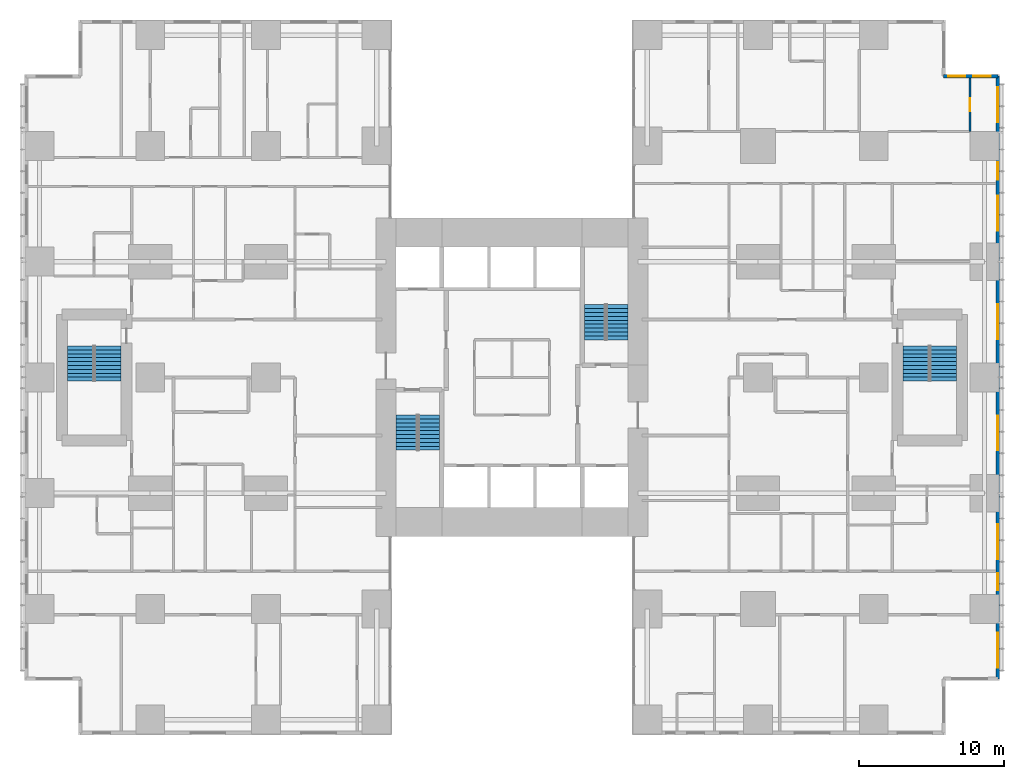
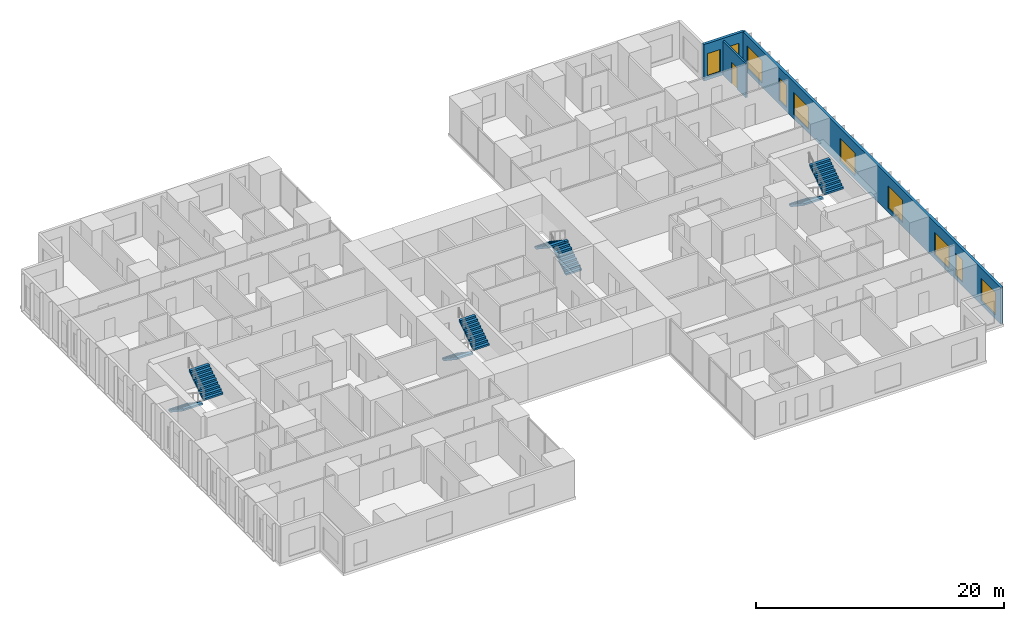
# One storey, part 19 of 20: 10 windows, 8 stair flights, 3 walls, 1 door, 11 openings, 4 elements without a shape of their own.
"""IFC4 building model written with IfcOpenShell, lengths in metres."""

import ifcopenshell
import ifcopenshell.guid

model = None  # the IFC model being written
_history = None  # IfcOwnerHistory: only IFC2X3 demands one
_inside = {}  # id of a spatial element -> (the spatial element, [elements in it])
_under = {}  # id of a project, library or spatial element -> (it, [spatial elements below it])
_declared = {}  # id of a project -> (the project, [libraries it declares])
_typed = {}  # id of a type object -> (the type object, [elements of that type])
_made_of = {}  # id of a material, layer set ... -> (it, [elements and type objects made of it])


def new_model(schema):
    """Start an empty IFC model of exactly this schema.

    Asked for "IFC4X3", IfcOpenShell would pick the latest addendum, in which some entities
    have other attributes; the version numbers below select the first issue.
    IFC2X3 requires an IfcOwnerHistory on every rooted entity: one is made here for all.
    """
    global model, _history
    if schema == "IFC4X3":
        model = ifcopenshell.file(schema_version=(4, 3, 0, 0))
    else:
        model = ifcopenshell.file(schema=schema)
    _inside.clear()
    _under.clear()
    _declared.clear()
    _typed.clear()
    _made_of.clear()
    _history = None
    if model.schema == "IFC2X3":
        org = make("IfcOrganization", Name="unknown")
        user = make(
            "IfcPersonAndOrganization",
            ThePerson=make("IfcPerson", FamilyName="unknown"),
            TheOrganization=org,
        )
        app = make(
            "IfcApplication",
            ApplicationDeveloper=org,
            Version="unknown",
            ApplicationFullName="unknown",
            ApplicationIdentifier="unknown",
        )
        _history = make(
            "IfcOwnerHistory",
            OwningUser=user,
            OwningApplication=app,
            ChangeAction="ADDED",
            CreationDate=0,
        )
    return model


def make(cls, **values):
    """One entity of the class cls with the attributes given. An attribute that is None is left unset."""
    return model.create_entity(
        cls, **{name: value for name, value in values.items() if value is not None}
    )


def rooted(cls, **values):
    """An entity with a GlobalId (a new one), such as an element, a storey or a relation."""
    return make(cls, GlobalId=ifcopenshell.guid.new(), OwnerHistory=_history, **values)


def si_unit(unit_type, name, prefix=None):
    """IfcSIUnit, for example si_unit("LENGTHUNIT", "METRE", prefix="MILLI")."""
    return make("IfcSIUnit", UnitType=unit_type, Prefix=prefix, Name=name)


def assignment(units):
    """IfcUnitAssignment: the units of a project."""
    return None if units is None else make("IfcUnitAssignment", Units=units)


def point(xyz):
    """IfcCartesianPoint."""
    return None if xyz is None else make("IfcCartesianPoint", Coordinates=xyz)


def direction(xyz):
    """IfcDirection."""
    return None if xyz is None else make("IfcDirection", DirectionRatios=xyz)


def frame(location, z_axis=None, x_axis=None):
    """IfcAxis2Placement3D, a coordinate frame: its origin and axes. An axis left out is left unset."""
    return make(
        "IfcAxis2Placement3D",
        Location=point(location),
        Axis=direction(z_axis),
        RefDirection=direction(x_axis),
    )


def frame_2d(location, x_axis=None):
    """IfcAxis2Placement2D, a coordinate frame in the plane: its origin and x axis."""
    return make(
        "IfcAxis2Placement2D", Location=point(location), RefDirection=direction(x_axis)
    )


def origin():
    """The frame at (0, 0, 0) with its axes left unset."""
    return frame((0.0, 0.0, 0.0))


def place(relative_to, where):
    """IfcLocalPlacement: puts the frame where relative to a parent placement (None: the world)."""
    return make(
        "IfcLocalPlacement", PlacementRelTo=relative_to, RelativePlacement=where
    )


def context(
    kind, dimensions, precision=None, world=None, true_north=None, identifier=None
):
    """IfcGeometricRepresentationContext, for example the 3D "Model" context."""
    return make(
        "IfcGeometricRepresentationContext",
        ContextIdentifier=identifier,
        ContextType=kind,
        CoordinateSpaceDimension=dimensions,
        Precision=precision,
        WorldCoordinateSystem=world,
        TrueNorth=true_north,
    )


def subcontext(parent, identifier, kind, view, scale=None):
    """IfcGeometricRepresentationSubContext, for example "Body" below "Model"."""
    return make(
        "IfcGeometricRepresentationSubContext",
        ContextIdentifier=identifier,
        ContextType=kind,
        ParentContext=parent,
        TargetScale=scale,
        TargetView=view,
    )


def project(units=None, contexts=None):
    """IfcProject with its units and contexts."""
    return rooted(
        "IfcProject",
        Name="project",
        RepresentationContexts=contexts,
        UnitsInContext=assignment(units),
    )


def spatial(cls, under=None, at=None, **own):
    """A site, building, storey or space (cls), placed at a placement, below another one or the project."""
    s = rooted(cls, ObjectPlacement=at, **own)
    if under is not None:
        _under.setdefault(under.id(), (under, []))[1].append(s)
    return s


def polyline(points):
    """IfcPolyline through the points."""
    return make("IfcPolyline", Points=[point(p) for p in points])


def profile(cls, at=None, kind="AREA", **sizes):
    """A parametric profile (cls). Its sizes go by their IFC names, for example OverallWidth=200.0."""
    return make(cls, ProfileType=kind, Position=at, **sizes)


def rectangle(**sizes):
    """IfcRectangleProfileDef."""
    return profile("IfcRectangleProfileDef", **sizes)


def outline(outer, holes=None, kind="AREA"):
    """IfcArbitraryClosedProfileDef: a profile drawn as a closed curve; with holes, ...WithVoids."""
    if holes is None:
        return make("IfcArbitraryClosedProfileDef", ProfileType=kind, OuterCurve=outer)
    return make(
        "IfcArbitraryProfileDefWithVoids",
        ProfileType=kind,
        OuterCurve=outer,
        InnerCurves=holes,
    )


def extrude(swept, where, along, depth):
    """IfcExtrudedAreaSolid: the profile swept, set in the frame where, extruded along a direction by depth."""
    return make(
        "IfcExtrudedAreaSolid",
        SweptArea=swept,
        Position=where,
        ExtrudedDirection=direction(along),
        Depth=depth,
    )


def shape(context_of_items, identifier, shape_type, items):
    """IfcShapeRepresentation: the items that make up one representation, for example the "Body"."""
    return make(
        "IfcShapeRepresentation",
        ContextOfItems=context_of_items,
        RepresentationIdentifier=identifier,
        RepresentationType=shape_type,
        Items=items,
    )


def material(Name=None, Category=None):
    """IfcMaterial."""
    return make("IfcMaterial", Name=Name, Category=Category)


def layer(
    of_material, thickness, ventilated=None, Name=None, Category=None, Priority=None
):
    """IfcMaterialLayer: one layer of a wall or slab, of a material (None: an air gap)."""
    return make(
        "IfcMaterialLayer",
        Material=of_material,
        LayerThickness=thickness,
        IsVentilated=ventilated,
        Name=Name,
        Category=Category,
        Priority=Priority,
    )


def layer_set(layers, Name=None):
    """IfcMaterialLayerSet."""
    return make("IfcMaterialLayerSet", MaterialLayers=layers, LayerSetName=Name)


def made_of(thing, what):
    """Note that an element or type object is made of a material, layer set ...; save() writes the relation."""
    if what is not None:
        _made_of.setdefault(what.id(), (what, []))[1].append(thing)
    return thing


def type_object(cls, material=None, **own):
    """A type object (cls), such as IfcWallType, which elements share."""
    return made_of(rooted(cls, **own), material)


def element(
    cls,
    number,
    at=None,
    inside=None,
    cuts=None,
    type_object=None,
    material=None,
    context=None,
    identifier="Body",
    shape_type=None,
    held_by="IfcProductDefinitionShape",
    body=None,
    shapes=None,
    **own,
):
    """One element of the class cls, such as IfcWall. Its Tag is "e" and its number.

    at: its placement. inside: the storey or other place that contains it. cuts: it is an
    opening in that element (IfcRelVoidsElement). A single representation is given by context,
    identifier, shape_type and body (its items); several are given by shapes. held_by: the class
    of the entity that holds the representations. save() writes the other relations.
    """
    e = rooted(cls, Tag="e%d" % number, ObjectPlacement=at, **own)
    if body is not None:
        shapes = [shape(context, identifier, shape_type, body)]
    if shapes is not None:
        e.Representation = make(held_by, Representations=shapes)
    if inside is not None:
        _inside.setdefault(inside.id(), (inside, []))[1].append(e)
    if cuts is not None:
        rooted(
            "IfcRelVoidsElement", RelatingBuildingElement=cuts, RelatedOpeningElement=e
        )
    if type_object is not None:
        _typed.setdefault(type_object.id(), (type_object, []))[1].append(e)
    return made_of(e, material)


def fill(opening, filler):
    """IfcRelFillsElement: the door or window that sits in an opening."""
    return rooted(
        "IfcRelFillsElement",
        RelatingOpeningElement=opening,
        RelatedBuildingElement=filler,
    )


def aggregate(whole, parts):
    """IfcRelAggregates: a whole, such as a stair, and the parts it consists of."""
    return rooted("IfcRelAggregates", RelatingObject=whole, RelatedObjects=parts)


def save(model, path):
    """Write the relations noted so far, then the file.

    IfcRelAggregates (storeys below a building ...), IfcRelContainedInSpatialStructure (elements
    in a storey), IfcRelDefinesByType, IfcRelAssociatesMaterial and IfcRelDeclares: one each for
    every whole, place, type object, material and project.
    """
    for whole, parts in _under.values():
        aggregate(whole, parts)
    for where, things in _inside.values():
        rooted(
            "IfcRelContainedInSpatialStructure",
            RelatedElements=things,
            RelatingStructure=where,
        )
    for kind, things in _typed.values():
        rooted("IfcRelDefinesByType", RelatedObjects=things, RelatingType=kind)
    for what, things in _made_of.values():
        rooted("IfcRelAssociatesMaterial", RelatedObjects=things, RelatingMaterial=what)
    for by, libraries in _declared.values():
        rooted("IfcRelDeclares", RelatingContext=by, RelatedDefinitions=libraries)
    model.write(path)


model = new_model("IFC4")

# Units and contexts
model_context = context("Model", 3, precision=1e-05, world=origin(), true_north=direction((0.0, 1.0)))
body_context = subcontext(model_context, "Body", "Model", "MODEL_VIEW")
ifc_project = project(units=[si_unit("LENGTHUNIT", "METRE"), si_unit("AREAUNIT", "SQUARE_METRE"), si_unit("VOLUMEUNIT", "CUBIC_METRE"), si_unit("PLANEANGLEUNIT", "RADIAN"), si_unit("MASSUNIT", "GRAM", prefix="KILO")], contexts=[model_context])

# Site, building, storey
site_placement = place(None, origin())
site = spatial("IfcSite", under=ifc_project, at=site_placement, CompositionType="ELEMENT")
building_placement = place(site_placement, origin())
building = spatial("IfcBuilding", under=site, at=building_placement, Name="Cleftline Residences", CompositionType="ELEMENT")
storey_placement = place(building_placement, frame((0.0, 0.0, 107.0)))
storey = spatial("IfcBuildingStorey", under=building, at=storey_placement, Name="L27", CompositionType="ELEMENT", Elevation=107.0)

# Wall, openings, windows
ifc_material_1 = material(Name="Rendered reinforced concrete blockwork", Category="masonry")
ifc_layer_1 = layer(ifc_material_1, 0.25)
ifc_layer_set_1 = layer_set([ifc_layer_1], Name="EXTERNAL WALL 250")
wall_type_1 = type_object("IfcWallType", Name="EXTERNAL WALL 250", PredefinedType="SOLIDWALL", material=ifc_layer_set_1)
wall_1_placement = place(storey_placement, frame((66.574951171875, 3.175048828125, 0.0), z_axis=(0.0, 0.0, 1.0), x_axis=(0.0, 1.0, 0.0)))
wall_1 = element("IfcWall", 1, at=wall_1_placement, inside=storey, type_object=wall_type_1, Name="External wall", PredefinedType="SOLIDWALL", context=body_context, shape_type="SweptSolid", body=[
    extrude(rectangle(XDim=41.64990234375, YDim=0.25, at=frame_2d((20.824951171875, 0.0))), origin(), (0.0, 0.0, 1.0), 3.60009765625),
])
opening_1_placement = place(wall_1_placement, frame((0.77490234375, 0.0, 0.39990234375)))
opening_1 = element("IfcOpeningElement", 2, at=opening_1_placement, cuts=wall_1, Name="Opening W12", PredefinedType="OPENING", context=body_context, shape_type="SweptSolid", body=[
    extrude(rectangle(XDim=2.39990234375, YDim=2.199951171875, at=frame_2d((1.199951171875, 1.10009765625))), frame((0.0, 0.135009765625, 0.0), z_axis=(0.0, -1.0, 0.0), x_axis=(1.0, 0.0, 0.0)), (0.0, 0.0, 1.0), 0.27001953125),
])
opening_2_placement = place(wall_1_placement, frame((6.10009765625, 0.0, 0.39990234375)))
opening_2 = element("IfcOpeningElement", 3, at=opening_2_placement, cuts=wall_1, Name="Opening W11", PredefinedType="OPENING", context=body_context, shape_type="SweptSolid", body=[
    extrude(rectangle(XDim=1.199951171875, YDim=2.199951171875, at=frame_2d((0.60009765625, 1.10009765625))), frame((0.0, 0.135009765625, 0.0), z_axis=(0.0, -1.0, 0.0), x_axis=(1.0, 0.0, 0.0)), (0.0, 0.0, 1.0), 0.27001953125),
])
opening_3_placement = place(wall_1_placement, frame((8.27490234375, 0.0, 0.39990234375)))
opening_3 = element("IfcOpeningElement", 4, at=opening_3_placement, cuts=wall_1, Name="Opening W12", PredefinedType="OPENING", context=body_context, shape_type="SweptSolid", body=[
    extrude(rectangle(XDim=2.39990234375, YDim=2.199951171875, at=frame_2d((1.199951171875, 1.10009765625))), frame((0.0, 0.135009765625, 0.0), z_axis=(0.0, -1.0, 0.0), x_axis=(1.0, 0.0, 0.0)), (0.0, 0.0, 1.0), 0.27001953125),
])
opening_4_placement = place(wall_1_placement, frame((15.77490234375, 0.0, 0.39990234375)))
opening_4 = element("IfcOpeningElement", 5, at=opening_4_placement, cuts=wall_1, Name="Opening W12", PredefinedType="OPENING", context=body_context, shape_type="SweptSolid", body=[
    extrude(rectangle(XDim=2.39990234375, YDim=2.199951171875, at=frame_2d((1.199951171875, 1.10009765625))), frame((0.0, 0.135009765625, 0.0), z_axis=(0.0, -1.0, 0.0), x_axis=(1.0, 0.0, 0.0)), (0.0, 0.0, 1.0), 0.27001953125),
])
opening_5_placement = place(wall_1_placement, frame((23.47509765625, 0.0, 0.39990234375)))
opening_5 = element("IfcOpeningElement", 6, at=opening_5_placement, cuts=wall_1, Name="Opening W12", PredefinedType="OPENING", context=body_context, shape_type="SweptSolid", body=[
    extrude(rectangle(XDim=2.39990234375, YDim=2.199951171875, at=frame_2d((1.199951171875, 1.10009765625))), frame((0.0, 0.135009765625, 0.0), z_axis=(0.0, -1.0, 0.0), x_axis=(1.0, 0.0, 0.0)), (0.0, 0.0, 1.0), 0.27001953125),
])
opening_6_placement = place(wall_1_placement, frame((30.97509765625, 0.0, 0.39990234375)))
opening_6 = element("IfcOpeningElement", 7, at=opening_6_placement, cuts=wall_1, Name="Opening W12", PredefinedType="OPENING", context=body_context, shape_type="SweptSolid", body=[
    extrude(rectangle(XDim=2.39990234375, YDim=2.199951171875, at=frame_2d((1.199951171875, 1.10009765625))), frame((0.0, 0.135009765625, 0.0), z_axis=(0.0, -1.0, 0.0), x_axis=(1.0, 0.0, 0.0)), (0.0, 0.0, 1.0), 0.27001953125),
])
opening_7_placement = place(wall_1_placement, frame((34.5, 0.0, 0.39990234375)))
opening_7 = element("IfcOpeningElement", 8, at=opening_7_placement, cuts=wall_1, Name="Opening W11", PredefinedType="OPENING", context=body_context, shape_type="SweptSolid", body=[
    extrude(rectangle(XDim=1.199951171875, YDim=2.199951171875, at=frame_2d((0.60009765625, 1.10009765625))), frame((0.0, 0.135009765625, 0.0), z_axis=(0.0, -1.0, 0.0), x_axis=(1.0, 0.0, 0.0)), (0.0, 0.0, 1.0), 0.27001953125),
])
opening_8_placement = place(wall_1_placement, frame((38.47509765625, 0.0, 0.39990234375)))
opening_8 = element("IfcOpeningElement", 9, at=opening_8_placement, cuts=wall_1, Name="Opening W12", PredefinedType="OPENING", context=body_context, shape_type="SweptSolid", body=[
    extrude(rectangle(XDim=2.39990234375, YDim=2.199951171875, at=frame_2d((1.199951171875, 1.10009765625))), frame((0.0, 0.135009765625, 0.0), z_axis=(0.0, -1.0, 0.0), x_axis=(1.0, 0.0, 0.0)), (0.0, 0.0, 1.0), 0.27001953125),
])
ifc_material_2 = material(Name="Aluminium frame, clear double glazing", Category="aluminium")
window_type_1 = type_object("IfcWindowType", Name="WINDOW 1200X2200", PartitioningType="DOUBLE_PANEL_VERTICAL", PredefinedType="WINDOW", material=ifc_material_2)
window_1_placement = place(opening_2_placement, origin())
window_1 = element("IfcWindow", 10, at=window_1_placement, inside=storey, type_object=window_type_1, Name="Window", OverallHeight=2.199951171875, OverallWidth=1.199951171875, PartitioningType="SINGLE_PANEL", PredefinedType="WINDOW", context=body_context, shape_type="SweptSolid", body=[
    extrude(rectangle(XDim=1.199951171875, YDim=2.199951171875, at=frame_2d((0.60009765625, 1.10009765625))), frame((0.0, 0.030029296875, 0.0), z_axis=(0.0, -1.0, 0.0), x_axis=(1.0, 0.0, 0.0)), (0.0, 0.0, 1.0), 0.06005859375),
])
fill(opening_2, window_1)
window_2_placement = place(opening_7_placement, origin())
window_2 = element("IfcWindow", 11, at=window_2_placement, inside=storey, type_object=window_type_1, Name="Window", OverallHeight=2.199951171875, OverallWidth=1.199951171875, PartitioningType="SINGLE_PANEL", PredefinedType="WINDOW", context=body_context, shape_type="SweptSolid", body=[
    extrude(rectangle(XDim=1.199951171875, YDim=2.199951171875, at=frame_2d((0.60009765625, 1.10009765625))), frame((0.0, 0.030029296875, 0.0), z_axis=(0.0, -1.0, 0.0), x_axis=(1.0, 0.0, 0.0)), (0.0, 0.0, 1.0), 0.06005859375),
])
fill(opening_7, window_2)
ifc_material_3 = material(Name="Aluminium frame, clear double glazing", Category="aluminium")
window_type_2 = type_object("IfcWindowType", Name="WINDOW 2400X2200", PartitioningType="DOUBLE_PANEL_VERTICAL", PredefinedType="WINDOW", material=ifc_material_3)
window_3_placement = place(opening_1_placement, origin())
window_3 = element("IfcWindow", 12, at=window_3_placement, inside=storey, type_object=window_type_2, Name="Window", OverallHeight=2.199951171875, OverallWidth=2.39990234375, PartitioningType="SINGLE_PANEL", PredefinedType="WINDOW", context=body_context, shape_type="SweptSolid", body=[
    extrude(rectangle(XDim=2.39990234375, YDim=2.199951171875, at=frame_2d((1.199951171875, 1.10009765625))), frame((0.0, 0.030029296875, 0.0), z_axis=(0.0, -1.0, 0.0), x_axis=(1.0, 0.0, 0.0)), (0.0, 0.0, 1.0), 0.06005859375),
])
fill(opening_1, window_3)
window_4_placement = place(opening_3_placement, origin())
window_4 = element("IfcWindow", 13, at=window_4_placement, inside=storey, type_object=window_type_2, Name="Window", OverallHeight=2.199951171875, OverallWidth=2.39990234375, PartitioningType="SINGLE_PANEL", PredefinedType="WINDOW", context=body_context, shape_type="SweptSolid", body=[
    extrude(rectangle(XDim=2.39990234375, YDim=2.199951171875, at=frame_2d((1.199951171875, 1.10009765625))), frame((0.0, 0.030029296875, 0.0), z_axis=(0.0, -1.0, 0.0), x_axis=(1.0, 0.0, 0.0)), (0.0, 0.0, 1.0), 0.06005859375),
])
fill(opening_3, window_4)
window_5_placement = place(opening_4_placement, origin())
window_5 = element("IfcWindow", 14, at=window_5_placement, inside=storey, type_object=window_type_2, Name="Window", OverallHeight=2.199951171875, OverallWidth=2.39990234375, PartitioningType="SINGLE_PANEL", PredefinedType="WINDOW", context=body_context, shape_type="SweptSolid", body=[
    extrude(rectangle(XDim=2.39990234375, YDim=2.199951171875, at=frame_2d((1.199951171875, 1.10009765625))), frame((0.0, 0.030029296875, 0.0), z_axis=(0.0, -1.0, 0.0), x_axis=(1.0, 0.0, 0.0)), (0.0, 0.0, 1.0), 0.06005859375),
])
fill(opening_4, window_5)
window_6_placement = place(opening_5_placement, origin())
window_6 = element("IfcWindow", 15, at=window_6_placement, inside=storey, type_object=window_type_2, Name="Window", OverallHeight=2.199951171875, OverallWidth=2.39990234375, PartitioningType="SINGLE_PANEL", PredefinedType="WINDOW", context=body_context, shape_type="SweptSolid", body=[
    extrude(rectangle(XDim=2.39990234375, YDim=2.199951171875, at=frame_2d((1.199951171875, 1.10009765625))), frame((0.0, 0.030029296875, 0.0), z_axis=(0.0, -1.0, 0.0), x_axis=(1.0, 0.0, 0.0)), (0.0, 0.0, 1.0), 0.06005859375),
])
fill(opening_5, window_6)
window_7_placement = place(opening_6_placement, origin())
window_7 = element("IfcWindow", 16, at=window_7_placement, inside=storey, type_object=window_type_2, Name="Window", OverallHeight=2.199951171875, OverallWidth=2.39990234375, PartitioningType="SINGLE_PANEL", PredefinedType="WINDOW", context=body_context, shape_type="SweptSolid", body=[
    extrude(rectangle(XDim=2.39990234375, YDim=2.199951171875, at=frame_2d((1.199951171875, 1.10009765625))), frame((0.0, 0.030029296875, 0.0), z_axis=(0.0, -1.0, 0.0), x_axis=(1.0, 0.0, 0.0)), (0.0, 0.0, 1.0), 0.06005859375),
])
fill(opening_6, window_7)
window_8_placement = place(opening_8_placement, origin())
window_8 = element("IfcWindow", 17, at=window_8_placement, inside=storey, type_object=window_type_2, Name="Window", OverallHeight=2.199951171875, OverallWidth=2.39990234375, PartitioningType="SINGLE_PANEL", PredefinedType="WINDOW", context=body_context, shape_type="SweptSolid", body=[
    extrude(rectangle(XDim=2.39990234375, YDim=2.199951171875, at=frame_2d((1.199951171875, 1.10009765625))), frame((0.0, 0.030029296875, 0.0), z_axis=(0.0, -1.0, 0.0), x_axis=(1.0, 0.0, 0.0)), (0.0, 0.0, 1.0), 0.06005859375),
])
fill(opening_8, window_8)

wall_2_placement = place(storey_placement, frame((66.574951171875, 44.824951171875, 0.0), z_axis=(0.0, 0.0, 1.0), x_axis=(-1.0, 0.0, 0.0)))
wall_2 = element("IfcWall", 18, at=wall_2_placement, inside=storey, type_object=wall_type_1, Name="External wall", PredefinedType="SOLIDWALL", context=body_context, shape_type="SweptSolid", body=[
    extrude(rectangle(XDim=3.75, YDim=0.25, at=frame_2d((1.875, 0.0))), origin(), (0.0, 0.0, 1.0), 3.60009765625),
])
opening_9_placement = place(wall_2_placement, frame((0.5, 0.0, 0.39990234375)))
opening_9 = element("IfcOpeningElement", 19, at=opening_9_placement, cuts=wall_2, Name="Opening W11", PredefinedType="OPENING", context=body_context, shape_type="SweptSolid", body=[
    extrude(rectangle(XDim=1.199951171875, YDim=2.199951171875, at=frame_2d((0.60009765625, 1.10009765625))), frame((0.0, 0.135009765625, 0.0), z_axis=(0.0, -1.0, 0.0), x_axis=(1.0, 0.0, 0.0)), (0.0, 0.0, 1.0), 0.27001953125),
])
opening_10_placement = place(wall_2_placement, frame((2.237548828125, 0.0, 0.39990234375)))
opening_10 = element("IfcOpeningElement", 20, at=opening_10_placement, cuts=wall_2, Name="Opening W11", PredefinedType="OPENING", context=body_context, shape_type="SweptSolid", body=[
    extrude(rectangle(XDim=1.199951171875, YDim=2.199951171875, at=frame_2d((0.60009765625, 1.10009765625))), frame((0.0, 0.135009765625, 0.0), z_axis=(0.0, -1.0, 0.0), x_axis=(1.0, 0.0, 0.0)), (0.0, 0.0, 1.0), 0.27001953125),
])
window_9_placement = place(opening_9_placement, origin())
window_9 = element("IfcWindow", 21, at=window_9_placement, inside=storey, type_object=window_type_1, Name="Window", OverallHeight=2.199951171875, OverallWidth=1.199951171875, PartitioningType="SINGLE_PANEL", PredefinedType="WINDOW", context=body_context, shape_type="SweptSolid", body=[
    extrude(rectangle(XDim=1.199951171875, YDim=2.199951171875, at=frame_2d((0.60009765625, 1.10009765625))), frame((0.0, 0.030029296875, 0.0), z_axis=(0.0, -1.0, 0.0), x_axis=(1.0, 0.0, 0.0)), (0.0, 0.0, 1.0), 0.06005859375),
])
fill(opening_9, window_9)
window_10_placement = place(opening_10_placement, origin())
window_10 = element("IfcWindow", 22, at=window_10_placement, inside=storey, type_object=window_type_1, Name="Window", OverallHeight=2.199951171875, OverallWidth=1.199951171875, PartitioningType="SINGLE_PANEL", PredefinedType="WINDOW", context=body_context, shape_type="SweptSolid", body=[
    extrude(rectangle(XDim=1.199951171875, YDim=2.199951171875, at=frame_2d((0.60009765625, 1.10009765625))), frame((0.0, 0.030029296875, 0.0), z_axis=(0.0, -1.0, 0.0), x_axis=(1.0, 0.0, 0.0)), (0.0, 0.0, 1.0), 0.06005859375),
])
fill(opening_10, window_10)

# Wall, opening, door
ifc_material_4 = material(Name="Gypsum board on steel studs", Category="steel")
ifc_layer_2 = layer(ifc_material_4, 0.14990234375)
ifc_layer_set_2 = layer_set([ifc_layer_2], Name="PARTITION 150")
wall_type_2 = type_object("IfcWallType", Name="PARTITION 150", PredefinedType="PARTITIONING", material=ifc_layer_set_2)
wall_3_placement = place(storey_placement, frame((64.64990234375, 41.0, 0.0), z_axis=(0.0, 0.0, 1.0), x_axis=(0.0, 1.0, 0.0)))
wall_3 = element("IfcWall", 23, at=wall_3_placement, inside=storey, type_object=wall_type_2, Name="Partition", PredefinedType="PARTITIONING", context=body_context, shape_type="SweptSolid", body=[
    extrude(rectangle(XDim=3.699951171875, YDim=0.14990234375, at=frame_2d((1.85009765625, 0.0))), origin(), (0.0, 0.0, 1.0), 3.35009765625),
])
opening_11_placement = place(wall_3_placement, frame((1.39990234375, 0.0, 0.0)))
opening_11 = element("IfcOpeningElement", 24, at=opening_11_placement, cuts=wall_3, Name="Opening D1", PredefinedType="OPENING", context=body_context, shape_type="SweptSolid", body=[
    extrude(rectangle(XDim=0.89990234375, YDim=2.10009765625, at=frame_2d((0.449951171875, 1.050048828125))), frame((0.0, 0.0849609375, 0.0), z_axis=(0.0, -1.0, 0.0), x_axis=(1.0, 0.0, 0.0)), (0.0, 0.0, 1.0), 0.169921875),
])
ifc_material_5 = material(Name="Timber veneer on solid core", Category="wood")
door_type = type_object("IfcDoorType", Name="DOOR 900X2100", OperationType="SINGLE_SWING_LEFT", PredefinedType="DOOR", material=ifc_material_5)
door_placement = place(opening_11_placement, origin())
door = element("IfcDoor", 25, at=door_placement, inside=storey, type_object=door_type, Name="Door to walk-in wardrobe", OperationType="SINGLE_SWING_LEFT", OverallHeight=2.10009765625, OverallWidth=0.89990234375, PredefinedType="DOOR", context=body_context, shape_type="SweptSolid", body=[
    extrude(rectangle(XDim=0.89990234375, YDim=2.10009765625, at=frame_2d((0.449951171875, 1.050048828125))), frame((0.0, 0.02490234375, 0.0), z_axis=(0.0, -1.0, 0.0), x_axis=(1.0, 0.0, 0.0)), (0.0, 0.0, 1.0), 0.050048828125),
])
fill(opening_11, door)

# Stair, stair flights
ifc_material_6 = material(Name="Concrete B45, stone treads", Category="masonry")
stair_type_1 = type_object("IfcStairType", Name="STAIR A 1450 WIDE 180 RISER", PredefinedType="HALF_TURN_STAIR", material=ifc_material_6)
stair_1_placement = place(storey_placement, origin())
stair_1 = element("IfcStair", 26, at=stair_1_placement, inside=storey, type_object=stair_type_1, Name="Stair A L27", PredefinedType="HALF_TURN_STAIR")
ifc_material_7 = material(Name="Concrete B45", Category="concrete")
stair_flight_type_1 = type_object("IfcStairFlightType", Name="STAIR A FLIGHT 1450X180", PredefinedType="STRAIGHT", material=ifc_material_7)
stair_flight_1_placement = place(storey_placement, frame((25.72509765625, 21.39990234375, 0.0), z_axis=(0.0, 0.0, 1.0), x_axis=(0.0, -1.0, 0.0)))
stair_flight_1 = element("IfcStairFlight", 27, at=stair_flight_1_placement, type_object=stair_flight_type_1, Name="ST-A flight 1", NumberOfRisers=10, NumberOfTreads=9, PredefinedType="STRAIGHT", RiserHeight=0.18, TreadLength=0.27, context=body_context, shape_type="SweptSolid", body=[
    extrude(outline(polyline([(0.0, 0.0), (0.0, 0.013916015625), (0.0, 0.027587890625), (0.0, 0.04150390625), (0.0, 0.055419921875), (0.0, 0.0693359375), (0.0, 0.0830078125), (0.0, 0.096923828125), (0.0, 0.11083984375), (0.0, 0.12451171875), (0.0, 0.138427734375), (0.0, 0.15234375), (0.0, 0.166259765625), (0.0, 0.179931640625), (0.27001953125, 0.179931640625), (0.27001953125, 0.360107421875), (0.5400390625, 0.360107421875), (0.5400390625, 0.5400390625), (0.81005859375, 0.5400390625), (0.81005859375, 0.719970703125), (1.080078125, 0.719970703125), (1.080078125, 0.89990234375), (1.35009765625, 0.89990234375), (1.35009765625, 1.080078125), (1.6201171875, 1.080078125), (1.6201171875, 1.260009765625), (1.889892578125, 1.260009765625), (1.889892578125, 1.43994140625), (2.159912109375, 1.43994140625), (2.159912109375, 1.6201171875), (2.429931640625, 1.6201171875), (2.429931640625, 1.800048828125), (2.429931640625, 1.772216796875), (2.429931640625, 1.74462890625), (2.429931640625, 1.716796875), (2.429931640625, 1.689208984375), (2.429931640625, 1.661376953125), (2.429931640625, 1.6337890625), (2.429931640625, 1.60595703125), (2.429931640625, 1.578369140625), (2.429931640625, 1.550537109375), (2.429931640625, 1.52294921875), (2.429931640625, 1.495361328125), (2.429931640625, 1.467529296875), (2.429931640625, 1.43994140625), (0.270263671875, 0.0), (0.0, 0.0)])), frame((0.0, 0.72509765625, 0.0), z_axis=(0.0, -1.0, 0.0), x_axis=(1.0, 0.0, 0.0)), (0.0, 0.0, 1.0), 1.449951171875),
])
stair_flight_2_placement = place(storey_placement, frame((27.27490234375, 18.969970703125, 1.800048828125), z_axis=(0.0, 0.0, 1.0), x_axis=(0.0, 1.0, 0.0)))
stair_flight_2 = element("IfcStairFlight", 28, at=stair_flight_2_placement, type_object=stair_flight_type_1, Name="ST-A flight 2", NumberOfRisers=10, NumberOfTreads=9, PredefinedType="STRAIGHT", RiserHeight=0.18, TreadLength=0.27, context=body_context, shape_type="SweptSolid", body=[
    extrude(outline(polyline([(0.0, 0.0), (0.0, 0.013916015625), (0.0, 0.027587890625), (0.0, 0.04150390625), (0.0, 0.055419921875), (0.0, 0.0693359375), (0.0, 0.0830078125), (0.0, 0.096923828125), (0.0, 0.11083984375), (0.0, 0.12451171875), (0.0, 0.138427734375), (0.0, 0.15234375), (0.0, 0.166259765625), (0.0, 0.179931640625), (0.27001953125, 0.179931640625), (0.27001953125, 0.360107421875), (0.5400390625, 0.360107421875), (0.5400390625, 0.5400390625), (0.81005859375, 0.5400390625), (0.81005859375, 0.719970703125), (1.080078125, 0.719970703125), (1.080078125, 0.89990234375), (1.35009765625, 0.89990234375), (1.35009765625, 1.080078125), (1.6201171875, 1.080078125), (1.6201171875, 1.260009765625), (1.889892578125, 1.260009765625), (1.889892578125, 1.43994140625), (2.159912109375, 1.43994140625), (2.159912109375, 1.6201171875), (2.429931640625, 1.6201171875), (2.429931640625, 1.800048828125), (2.429931640625, 1.772216796875), (2.429931640625, 1.74462890625), (2.429931640625, 1.716796875), (2.429931640625, 1.689208984375), (2.429931640625, 1.661376953125), (2.429931640625, 1.6337890625), (2.429931640625, 1.60595703125), (2.429931640625, 1.578369140625), (2.429931640625, 1.550537109375), (2.429931640625, 1.52294921875), (2.429931640625, 1.495361328125), (2.429931640625, 1.467529296875), (2.429931640625, 1.43994140625), (0.270263671875, 0.0), (0.0, 0.0)])), frame((0.0, 0.72509765625, 0.0), z_axis=(0.0, -1.0, 0.0), x_axis=(1.0, 0.0, 0.0)), (0.0, 0.0, 1.0), 1.449951171875),
])
aggregate(stair_1, [stair_flight_1, stair_flight_2])

ifc_material_8 = material(Name="Concrete B45, stone treads", Category="masonry")
stair_type_2 = type_object("IfcStairType", Name="STAIR B 1450 WIDE 180 RISER", PredefinedType="HALF_TURN_STAIR", material=ifc_material_8)
stair_2_placement = place(storey_placement, origin())
stair_2 = element("IfcStair", 29, at=stair_2_placement, inside=storey, type_object=stair_type_2, Name="Stair B L27", PredefinedType="HALF_TURN_STAIR")
ifc_material_9 = material(Name="Concrete B45", Category="concrete")
stair_flight_type_2 = type_object("IfcStairFlightType", Name="STAIR B FLIGHT 1450X180", PredefinedType="STRAIGHT", material=ifc_material_9)
stair_flight_3_placement = place(storey_placement, frame((40.27490234375, 26.60009765625, 0.0), z_axis=(0.0, 0.0, 1.0), x_axis=(0.0, 1.0, 0.0)))
stair_flight_3 = element("IfcStairFlight", 30, at=stair_flight_3_placement, type_object=stair_flight_type_2, Name="ST-B flight 1", NumberOfRisers=10, NumberOfTreads=9, PredefinedType="STRAIGHT", RiserHeight=0.18, TreadLength=0.27, context=body_context, shape_type="SweptSolid", body=[
    extrude(outline(polyline([(0.0, 0.0), (0.0, 0.013916015625), (0.0, 0.027587890625), (0.0, 0.04150390625), (0.0, 0.055419921875), (0.0, 0.0693359375), (0.0, 0.0830078125), (0.0, 0.096923828125), (0.0, 0.11083984375), (0.0, 0.12451171875), (0.0, 0.138427734375), (0.0, 0.15234375), (0.0, 0.166259765625), (0.0, 0.179931640625), (0.27001953125, 0.179931640625), (0.27001953125, 0.360107421875), (0.5400390625, 0.360107421875), (0.5400390625, 0.5400390625), (0.81005859375, 0.5400390625), (0.81005859375, 0.719970703125), (1.080078125, 0.719970703125), (1.080078125, 0.89990234375), (1.35009765625, 0.89990234375), (1.35009765625, 1.080078125), (1.6201171875, 1.080078125), (1.6201171875, 1.260009765625), (1.889892578125, 1.260009765625), (1.889892578125, 1.43994140625), (2.159912109375, 1.43994140625), (2.159912109375, 1.6201171875), (2.429931640625, 1.6201171875), (2.429931640625, 1.800048828125), (2.429931640625, 1.772216796875), (2.429931640625, 1.74462890625), (2.429931640625, 1.716796875), (2.429931640625, 1.689208984375), (2.429931640625, 1.661376953125), (2.429931640625, 1.6337890625), (2.429931640625, 1.60595703125), (2.429931640625, 1.578369140625), (2.429931640625, 1.550537109375), (2.429931640625, 1.52294921875), (2.429931640625, 1.495361328125), (2.429931640625, 1.467529296875), (2.429931640625, 1.43994140625), (0.270263671875, 0.0), (0.0, 0.0)])), frame((0.0, 0.72509765625, 0.0), z_axis=(0.0, -1.0, 0.0), x_axis=(1.0, 0.0, 0.0)), (0.0, 0.0, 1.0), 1.449951171875),
])
stair_flight_4_placement = place(storey_placement, frame((38.72509765625, 29.030029296875, 1.800048828125), z_axis=(0.0, 0.0, 1.0), x_axis=(0.0, -1.0, 0.0)))
stair_flight_4 = element("IfcStairFlight", 31, at=stair_flight_4_placement, type_object=stair_flight_type_2, Name="ST-B flight 2", NumberOfRisers=10, NumberOfTreads=9, PredefinedType="STRAIGHT", RiserHeight=0.18, TreadLength=0.27, context=body_context, shape_type="SweptSolid", body=[
    extrude(outline(polyline([(0.0, 0.0), (0.0, 0.013916015625), (0.0, 0.027587890625), (0.0, 0.04150390625), (0.0, 0.055419921875), (0.0, 0.0693359375), (0.0, 0.0830078125), (0.0, 0.096923828125), (0.0, 0.11083984375), (0.0, 0.12451171875), (0.0, 0.138427734375), (0.0, 0.15234375), (0.0, 0.166259765625), (0.0, 0.179931640625), (0.27001953125, 0.179931640625), (0.27001953125, 0.360107421875), (0.5400390625, 0.360107421875), (0.5400390625, 0.5400390625), (0.81005859375, 0.5400390625), (0.81005859375, 0.719970703125), (1.080078125, 0.719970703125), (1.080078125, 0.89990234375), (1.35009765625, 0.89990234375), (1.35009765625, 1.080078125), (1.6201171875, 1.080078125), (1.6201171875, 1.260009765625), (1.889892578125, 1.260009765625), (1.889892578125, 1.43994140625), (2.159912109375, 1.43994140625), (2.159912109375, 1.6201171875), (2.429931640625, 1.6201171875), (2.429931640625, 1.800048828125), (2.429931640625, 1.772216796875), (2.429931640625, 1.74462890625), (2.429931640625, 1.716796875), (2.429931640625, 1.689208984375), (2.429931640625, 1.661376953125), (2.429931640625, 1.6337890625), (2.429931640625, 1.60595703125), (2.429931640625, 1.578369140625), (2.429931640625, 1.550537109375), (2.429931640625, 1.52294921875), (2.429931640625, 1.495361328125), (2.429931640625, 1.467529296875), (2.429931640625, 1.43994140625), (0.270263671875, 0.0), (0.0, 0.0)])), frame((0.0, 0.72509765625, 0.0), z_axis=(0.0, -1.0, 0.0), x_axis=(1.0, 0.0, 0.0)), (0.0, 0.0, 1.0), 1.449951171875),
])
aggregate(stair_2, [stair_flight_3, stair_flight_4])

ifc_material_10 = material(Name="Concrete B45, stone treads", Category="masonry")
stair_type_3 = type_object("IfcStairType", Name="STAIR E 1800 WIDE 180 RISER", PredefinedType="HALF_TURN_STAIR", material=ifc_material_10)
stair_3_placement = place(storey_placement, origin())
stair_3 = element("IfcStair", 32, at=stair_3_placement, inside=storey, type_object=stair_type_3, Name="Stair E L27", PredefinedType="HALF_TURN_STAIR")
ifc_material_11 = material(Name="Concrete B45", Category="concrete")
stair_flight_type_3 = type_object("IfcStairFlightType", Name="STAIR E FLIGHT 1800X180", PredefinedType="STRAIGHT", material=ifc_material_11)
stair_flight_5_placement = place(storey_placement, frame((60.925048828125, 26.175048828125, 0.0), z_axis=(0.0, 0.0, 1.0), x_axis=(0.0, -1.0, 0.0)))
stair_flight_5 = element("IfcStairFlight", 33, at=stair_flight_5_placement, type_object=stair_flight_type_3, Name="ST-E flight 1", NumberOfRisers=10, NumberOfTreads=9, PredefinedType="STRAIGHT", RiserHeight=0.18, TreadLength=0.27, context=body_context, shape_type="SweptSolid", body=[
    extrude(outline(polyline([(0.0, 0.0), (0.0, 0.013916015625), (0.0, 0.027587890625), (0.0, 0.04150390625), (0.0, 0.055419921875), (0.0, 0.0693359375), (0.0, 0.0830078125), (0.0, 0.096923828125), (0.0, 0.11083984375), (0.0, 0.12451171875), (0.0, 0.138427734375), (0.0, 0.15234375), (0.0, 0.166259765625), (0.0, 0.179931640625), (0.27001953125, 0.179931640625), (0.27001953125, 0.360107421875), (0.5400390625, 0.360107421875), (0.5400390625, 0.5400390625), (0.81005859375, 0.5400390625), (0.81005859375, 0.719970703125), (1.080078125, 0.719970703125), (1.080078125, 0.89990234375), (1.35009765625, 0.89990234375), (1.35009765625, 1.080078125), (1.6201171875, 1.080078125), (1.6201171875, 1.260009765625), (1.889892578125, 1.260009765625), (1.889892578125, 1.43994140625), (2.159912109375, 1.43994140625), (2.159912109375, 1.6201171875), (2.429931640625, 1.6201171875), (2.429931640625, 1.800048828125), (2.429931640625, 1.772216796875), (2.429931640625, 1.74462890625), (2.429931640625, 1.716796875), (2.429931640625, 1.689208984375), (2.429931640625, 1.661376953125), (2.429931640625, 1.6337890625), (2.429931640625, 1.60595703125), (2.429931640625, 1.578369140625), (2.429931640625, 1.550537109375), (2.429931640625, 1.52294921875), (2.429931640625, 1.495361328125), (2.429931640625, 1.467529296875), (2.429931640625, 1.43994140625), (0.270263671875, 0.0), (0.0, 0.0)])), frame((0.0, 0.89990234375, 0.0), z_axis=(0.0, -1.0, 0.0), x_axis=(1.0, 0.0, 0.0)), (0.0, 0.0, 1.0), 1.800048828125),
])
stair_flight_6_placement = place(storey_placement, frame((62.824951171875, 23.7451171875, 1.800048828125), z_axis=(0.0, 0.0, 1.0), x_axis=(0.0, 1.0, 0.0)))
stair_flight_6 = element("IfcStairFlight", 34, at=stair_flight_6_placement, type_object=stair_flight_type_3, Name="ST-E flight 2", NumberOfRisers=10, NumberOfTreads=9, PredefinedType="STRAIGHT", RiserHeight=0.18, TreadLength=0.27, context=body_context, shape_type="SweptSolid", body=[
    extrude(outline(polyline([(0.0, 0.0), (0.0, 0.013916015625), (0.0, 0.027587890625), (0.0, 0.04150390625), (0.0, 0.055419921875), (0.0, 0.0693359375), (0.0, 0.0830078125), (0.0, 0.096923828125), (0.0, 0.11083984375), (0.0, 0.12451171875), (0.0, 0.138427734375), (0.0, 0.15234375), (0.0, 0.166259765625), (0.0, 0.179931640625), (0.27001953125, 0.179931640625), (0.27001953125, 0.360107421875), (0.5400390625, 0.360107421875), (0.5400390625, 0.5400390625), (0.81005859375, 0.5400390625), (0.81005859375, 0.719970703125), (1.080078125, 0.719970703125), (1.080078125, 0.89990234375), (1.35009765625, 0.89990234375), (1.35009765625, 1.080078125), (1.6201171875, 1.080078125), (1.6201171875, 1.260009765625), (1.889892578125, 1.260009765625), (1.889892578125, 1.43994140625), (2.159912109375, 1.43994140625), (2.159912109375, 1.6201171875), (2.429931640625, 1.6201171875), (2.429931640625, 1.800048828125), (2.429931640625, 1.772216796875), (2.429931640625, 1.74462890625), (2.429931640625, 1.716796875), (2.429931640625, 1.689208984375), (2.429931640625, 1.661376953125), (2.429931640625, 1.6337890625), (2.429931640625, 1.60595703125), (2.429931640625, 1.578369140625), (2.429931640625, 1.550537109375), (2.429931640625, 1.52294921875), (2.429931640625, 1.495361328125), (2.429931640625, 1.467529296875), (2.429931640625, 1.43994140625), (0.270263671875, 0.0), (0.0, 0.0)])), frame((0.0, 0.89990234375, 0.0), z_axis=(0.0, -1.0, 0.0), x_axis=(1.0, 0.0, 0.0)), (0.0, 0.0, 1.0), 1.800048828125),
])
aggregate(stair_3, [stair_flight_5, stair_flight_6])

ifc_material_12 = material(Name="Concrete B45, stone treads", Category="masonry")
stair_type_4 = type_object("IfcStairType", Name="STAIR W 1800 WIDE 180 RISER", PredefinedType="HALF_TURN_STAIR", material=ifc_material_12)
stair_4_placement = place(storey_placement, origin())
stair_4 = element("IfcStair", 35, at=stair_4_placement, inside=storey, type_object=stair_type_4, Name="Stair W L27", PredefinedType="HALF_TURN_STAIR")
ifc_material_13 = material(Name="Concrete B45", Category="concrete")
stair_flight_type_4 = type_object("IfcStairFlightType", Name="STAIR W FLIGHT 1800X180", PredefinedType="STRAIGHT", material=ifc_material_13)
stair_flight_7_placement = place(storey_placement, frame((3.175048828125, 26.175048828125, 0.0), z_axis=(0.0, 0.0, 1.0), x_axis=(0.0, -1.0, 0.0)))
stair_flight_7 = element("IfcStairFlight", 36, at=stair_flight_7_placement, type_object=stair_flight_type_4, Name="ST-W flight 1", NumberOfRisers=10, NumberOfTreads=9, PredefinedType="STRAIGHT", RiserHeight=0.18, TreadLength=0.27, context=body_context, shape_type="SweptSolid", body=[
    extrude(outline(polyline([(0.0, 0.0), (0.0, 0.013916015625), (0.0, 0.027587890625), (0.0, 0.04150390625), (0.0, 0.055419921875), (0.0, 0.0693359375), (0.0, 0.0830078125), (0.0, 0.096923828125), (0.0, 0.11083984375), (0.0, 0.12451171875), (0.0, 0.138427734375), (0.0, 0.15234375), (0.0, 0.166259765625), (0.0, 0.179931640625), (0.27001953125, 0.179931640625), (0.27001953125, 0.360107421875), (0.5400390625, 0.360107421875), (0.5400390625, 0.5400390625), (0.81005859375, 0.5400390625), (0.81005859375, 0.719970703125), (1.080078125, 0.719970703125), (1.080078125, 0.89990234375), (1.35009765625, 0.89990234375), (1.35009765625, 1.080078125), (1.6201171875, 1.080078125), (1.6201171875, 1.260009765625), (1.889892578125, 1.260009765625), (1.889892578125, 1.43994140625), (2.159912109375, 1.43994140625), (2.159912109375, 1.6201171875), (2.429931640625, 1.6201171875), (2.429931640625, 1.800048828125), (2.429931640625, 1.772216796875), (2.429931640625, 1.74462890625), (2.429931640625, 1.716796875), (2.429931640625, 1.689208984375), (2.429931640625, 1.661376953125), (2.429931640625, 1.6337890625), (2.429931640625, 1.60595703125), (2.429931640625, 1.578369140625), (2.429931640625, 1.550537109375), (2.429931640625, 1.52294921875), (2.429931640625, 1.495361328125), (2.429931640625, 1.467529296875), (2.429931640625, 1.43994140625), (0.270263671875, 0.0), (0.0, 0.0)])), frame((0.0, 0.89990234375, 0.0), z_axis=(0.0, -1.0, 0.0), x_axis=(1.0, 0.0, 0.0)), (0.0, 0.0, 1.0), 1.800048828125),
])
stair_flight_8_placement = place(storey_placement, frame((5.074951171875, 23.7451171875, 1.800048828125), z_axis=(0.0, 0.0, 1.0), x_axis=(0.0, 1.0, 0.0)))
stair_flight_8 = element("IfcStairFlight", 37, at=stair_flight_8_placement, type_object=stair_flight_type_4, Name="ST-W flight 2", NumberOfRisers=10, NumberOfTreads=9, PredefinedType="STRAIGHT", RiserHeight=0.18, TreadLength=0.27, context=body_context, shape_type="SweptSolid", body=[
    extrude(outline(polyline([(0.0, 0.0), (0.0, 0.013916015625), (0.0, 0.027587890625), (0.0, 0.04150390625), (0.0, 0.055419921875), (0.0, 0.0693359375), (0.0, 0.0830078125), (0.0, 0.096923828125), (0.0, 0.11083984375), (0.0, 0.12451171875), (0.0, 0.138427734375), (0.0, 0.15234375), (0.0, 0.166259765625), (0.0, 0.179931640625), (0.27001953125, 0.179931640625), (0.27001953125, 0.360107421875), (0.5400390625, 0.360107421875), (0.5400390625, 0.5400390625), (0.81005859375, 0.5400390625), (0.81005859375, 0.719970703125), (1.080078125, 0.719970703125), (1.080078125, 0.89990234375), (1.35009765625, 0.89990234375), (1.35009765625, 1.080078125), (1.6201171875, 1.080078125), (1.6201171875, 1.260009765625), (1.889892578125, 1.260009765625), (1.889892578125, 1.43994140625), (2.159912109375, 1.43994140625), (2.159912109375, 1.6201171875), (2.429931640625, 1.6201171875), (2.429931640625, 1.800048828125), (2.429931640625, 1.772216796875), (2.429931640625, 1.74462890625), (2.429931640625, 1.716796875), (2.429931640625, 1.689208984375), (2.429931640625, 1.661376953125), (2.429931640625, 1.6337890625), (2.429931640625, 1.60595703125), (2.429931640625, 1.578369140625), (2.429931640625, 1.550537109375), (2.429931640625, 1.52294921875), (2.429931640625, 1.495361328125), (2.429931640625, 1.467529296875), (2.429931640625, 1.43994140625), (0.270263671875, 0.0), (0.0, 0.0)])), frame((0.0, 0.89990234375, 0.0), z_axis=(0.0, -1.0, 0.0), x_axis=(1.0, 0.0, 0.0)), (0.0, 0.0, 1.0), 1.800048828125),
])
aggregate(stair_4, [stair_flight_7, stair_flight_8])

save(model, "model.ifc")
